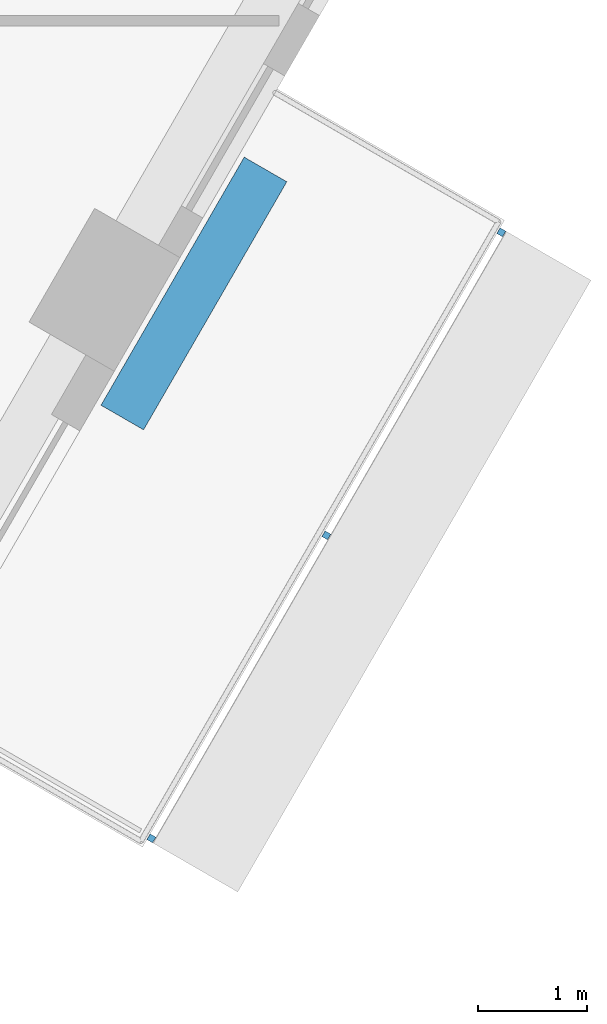
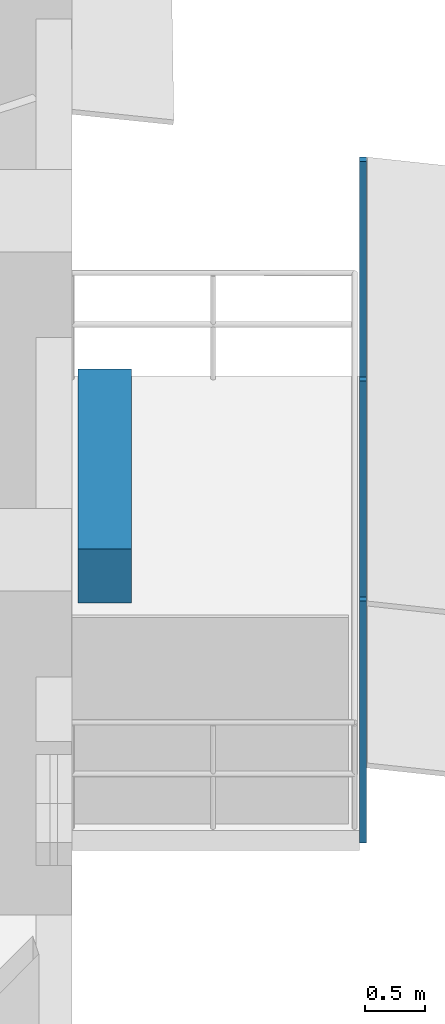
# One storey, part 12 of 17: 4 discrete accessories.
"""IFC4 building model written with IfcOpenShell, lengths in metres."""

from ifc_helpers import new_model, si_unit, direction, frame, origin, origin_2d, place, context, subcontext, project, spatial, rectangle, extrude, material, type_object, element, save


model = new_model("IFC4")

# Units and contexts
model_context = context("Model", 3, precision=1e-05, world=origin(), true_north=direction((0.0, 1.0)))
body_context = subcontext(model_context, "Body", "Model", "MODEL_VIEW")
ifc_project = project(units=[si_unit("LENGTHUNIT", "METRE"), si_unit("AREAUNIT", "SQUARE_METRE"), si_unit("VOLUMEUNIT", "CUBIC_METRE"), si_unit("PLANEANGLEUNIT", "RADIAN"), si_unit("MASSUNIT", "GRAM", prefix="KILO")], contexts=[model_context])

# Site, building, storey
site_placement = place(None, origin())
site = spatial("IfcSite", under=ifc_project, at=site_placement, CompositionType="ELEMENT")
building_placement = place(site_placement, origin())
building = spatial("IfcBuilding", under=site, at=building_placement, Name="Nakaniwa Court", CompositionType="ELEMENT")
storey_placement = place(building_placement, frame((0.0, 0.0, 206.39990234375)))
storey = spatial("IfcBuildingStorey", under=building, at=storey_placement, Name="L54", CompositionType="ELEMENT", Elevation=206.39990234375)

# Discrete accessories
ifc_material_1 = material(Name="Black powder-coated steel bracket S275", Category="steel")
discrete_accessory_type_1 = type_object("IfcDiscreteAccessoryType", Name="Black metal louvre bracket", PredefinedType="BRACKET", material=ifc_material_1)
for number, where, z_axis, x_axis, name in (
    (1, (99.568603515625, 63.734130859375, -0.229736328125), (0.0, 0.0, 1.0), (0.500016626402, 0.866015804314, 0.0), "L54 louvre bracket 03 1"),
    (2, (101.168701171875, 66.505126953125, -0.229736328125), (0.0, 0.0, 1.0), (0.500016626402, 0.866015804314, 0.0), "L54 louvre bracket 03 2"),
    (3, (102.7685546875, 69.27587890625, -0.229736328125), (0.0, 0.0, 1.0), (0.500016626402, 0.866015804314, 0.0), "L54 louvre bracket 03 3"),
):
    element("IfcDiscreteAccessory", number, at=place(storey_placement, frame(where, z_axis=z_axis, x_axis=x_axis)), inside=storey, type_object=discrete_accessory_type_1, Name=name, PredefinedType="BRACKET", context=body_context, shape_type="SweptSolid", body=[
        extrude(rectangle(XDim=0.06005859375, YDim=0.06005859375, at=origin_2d()), origin(), (0.0, 0.0, 1.0), 2.46337890625),
    ])
ifc_material_2 = material(Name="Precast concrete C40/50 planter with planted soil", Category="concrete")
discrete_accessory_type_2 = type_object("IfcDiscreteAccessoryType", Name="Planter box charcoal concrete", PredefinedType="USERDEFINED", material=ifc_material_2)
discrete_accessory_placement = place(storey_placement, frame((99.957275390625, 68.716796875, -0.0498046875), z_axis=(0.0, 0.0, 1.0), x_axis=(0.500016626402, 0.866015804314, 0.0)))
element("IfcDiscreteAccessory", 4, at=discrete_accessory_placement, inside=storey, type_object=discrete_accessory_type_2, Name="L54 balcony PLANTER 03", ObjectType="PLANTER", PredefinedType="USERDEFINED", context=body_context, shape_type="SweptSolid", body=[
    extrude(rectangle(XDim=2.61962890625, YDim=0.449951171875, at=origin_2d()), origin(), (0.0, 0.0, 1.0), 0.550048828125),
])

save(model, "model.ifc")
